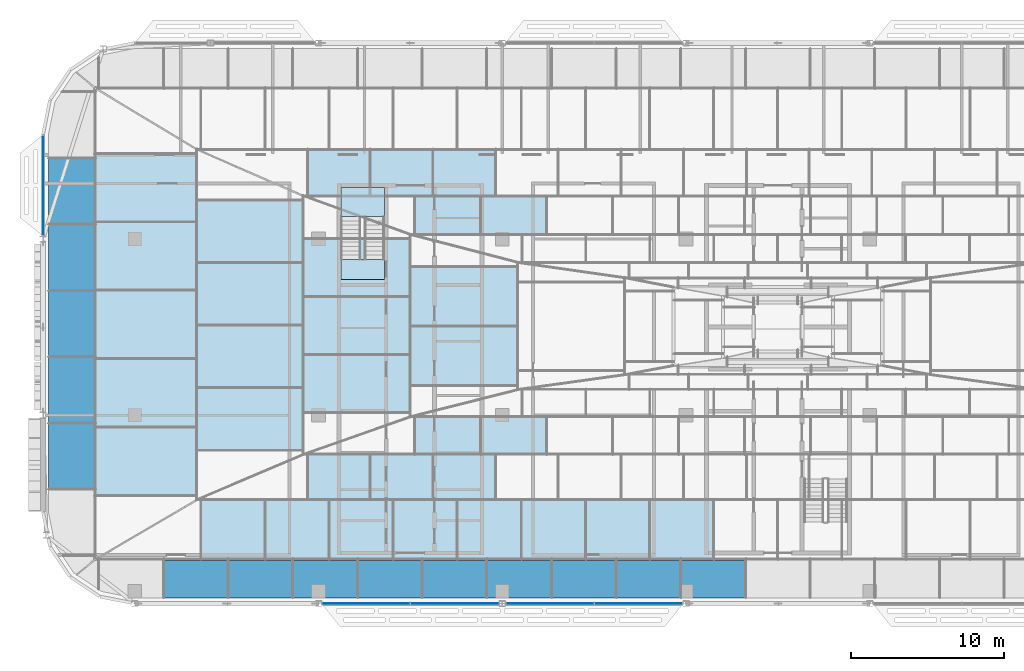
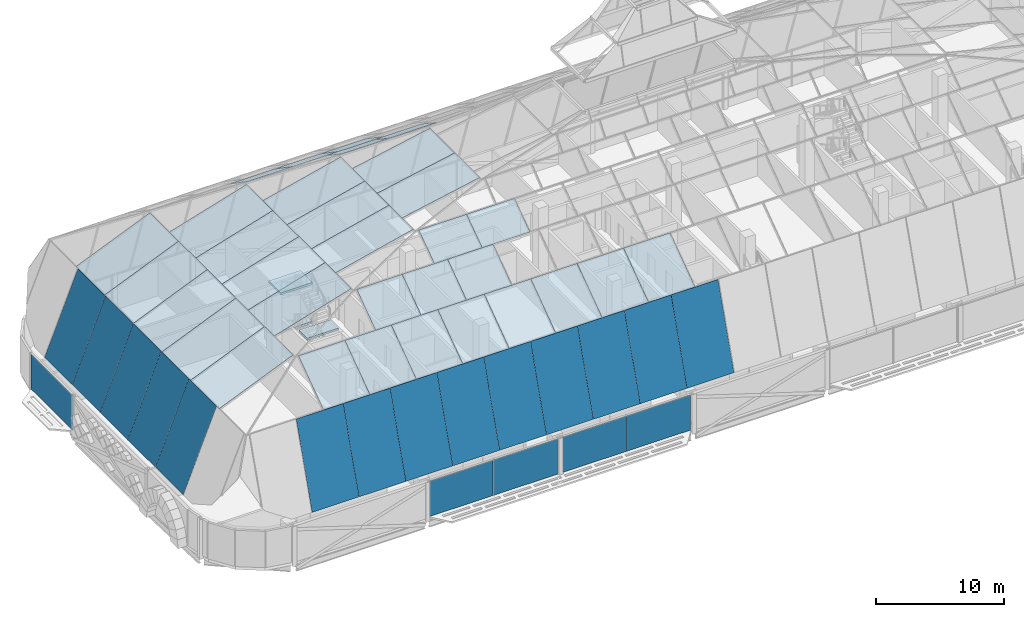
# One storey, part 19 of 39: 51 plates, 3 slabs, 15 elements without a shape of their own.
"""IFC4 building model written with IfcOpenShell, lengths in metres."""

from ifc_helpers import new_model, si_unit, direction, frame, origin, origin_2d, place, context, subcontext, project, spatial, polyline, rectangle, outline, extrude, material, layer, layer_set, type_object, element, aggregate, save


model = new_model("IFC4")

# Units and contexts
model_context = context("Model", 3, precision=1e-05, world=origin(), true_north=direction((0.0, 1.0)))
body_context = subcontext(model_context, "Body", "Model", "MODEL_VIEW")
ifc_project = project(units=[si_unit("LENGTHUNIT", "METRE"), si_unit("AREAUNIT", "SQUARE_METRE"), si_unit("VOLUMEUNIT", "CUBIC_METRE"), si_unit("PLANEANGLEUNIT", "RADIAN"), si_unit("MASSUNIT", "GRAM", prefix="KILO")], contexts=[model_context])

# Site, building, storey
site_placement = place(None, origin())
site = spatial("IfcSite", under=ifc_project, at=site_placement, CompositionType="ELEMENT")
building_placement = place(site_placement, origin())
building = spatial("IfcBuilding", under=site, at=building_placement, Name="Mahtab Terrace Research Tower", CompositionType="ELEMENT")
storey_placement = place(building_placement, frame((0.0, 0.0, 282.300048828125)))
storey = spatial("IfcBuildingStorey", under=building, at=storey_placement, Name="L69", CompositionType="ELEMENT", Elevation=282.300048828125)

# Curtain wall, plates
ifc_material_1 = material(Name="Crown faceted glass roof")
curtain_wall_type_1 = type_object("IfcCurtainWallType", Name="Crown faceted glass roof", PredefinedType="NOTDEFINED", material=ifc_material_1)
curtain_wall_1_placement = place(storey_placement, origin())
curtain_wall_1 = element("IfcCurtainWall", 1, at=curtain_wall_1_placement, inside=storey, type_object=curtain_wall_type_1, Name="CROWN.S0", PredefinedType="NOTDEFINED")
ifc_material_2 = material(Name="Dark glazing", Category="glass")
ifc_layer_1 = layer(ifc_material_2, 0.030029296875)
ifc_layer_set_1 = layer_set([ifc_layer_1], Name="Crown faceted glass roof glazing panel")
plate_type_1 = type_object("IfcPlateType", Name="Crown faceted glass roof glazing panel", PredefinedType="CURTAIN_PANEL", material=ifc_layer_set_1)
plate_1_placement = place(storey_placement, frame((-35.90087890625, -11.95703125, 3.800048828125), z_axis=(0.0, -0.948206714392, 0.317653941865), x_axis=(0.0, 0.317653941865, 0.948206714392)))
plate_1 = element("IfcPlate", 2, at=plate_1_placement, type_object=plate_type_1, Name="CWC-S1 panel 3", PredefinedType="CURTAIN_PANEL", context=body_context, shape_type="SweptSolid", body=[
    extrude(outline(polyline([(0.0, 0.0), (7.804102450906159, 0.0), (7.804102450906159, 4.2236328125), (0.0, 4.2236328125), (0.0, 0.0)])), origin(), (0.0, 0.0, -1.0), 0.030029296875),
])
plate_2_placement = place(storey_placement, frame((-31.67724609375, -11.95703125, 3.800048828125), z_axis=(0.0, -0.948206714392, 0.317653941865), x_axis=(0.0, 0.317653941865, 0.948206714392)))
plate_2 = element("IfcPlate", 3, at=plate_2_placement, type_object=plate_type_1, Name="CWC-S1 panel 4", PredefinedType="CURTAIN_PANEL", context=body_context, shape_type="SweptSolid", body=[
    extrude(outline(polyline([(0.0, 0.0), (7.804102450906159, 0.0), (7.804102450906159, 4.2236328125), (0.0, 4.2236328125), (0.0, 0.0)])), origin(), (0.0, 0.0, -1.0), 0.030029296875),
])
plate_3_placement = place(storey_placement, frame((-27.45361328125, -11.95703125, 3.800048828125), z_axis=(0.0, -0.948206714392, 0.317653941865), x_axis=(0.0, 0.317653941865, 0.948206714392)))
plate_3 = element("IfcPlate", 4, at=plate_3_placement, type_object=plate_type_1, Name="CWC-S1 panel 5", PredefinedType="CURTAIN_PANEL", context=body_context, shape_type="SweptSolid", body=[
    extrude(outline(polyline([(0.0, 0.0), (7.804102450906159, 0.0), (7.804102450906159, 4.2236328125), (0.0, 4.2236328125), (0.0, 0.0)])), origin(), (0.0, 0.0, -1.0), 0.030029296875),
])
plate_4_placement = place(storey_placement, frame((-23.22998046875, -11.95703125, 3.800048828125), z_axis=(0.0, -0.948206714392, 0.317653941865), x_axis=(0.0, 0.317653941865, 0.948206714392)))
plate_4 = element("IfcPlate", 5, at=plate_4_placement, type_object=plate_type_1, Name="CWC-S1 panel 6", PredefinedType="CURTAIN_PANEL", context=body_context, shape_type="SweptSolid", body=[
    extrude(outline(polyline([(0.0, 0.0), (7.804102450906159, 0.0), (7.804102450906159, 4.2236328125), (0.0, 4.2236328125), (0.0, 0.0)])), origin(), (0.0, 0.0, -1.0), 0.030029296875),
])
plate_5_placement = place(storey_placement, frame((-19.00634765625, -11.95703125, 3.800048828125), z_axis=(0.0, -0.948206714392, 0.317653941865), x_axis=(0.0, 0.317653941865, 0.948206714392)))
plate_5 = element("IfcPlate", 6, at=plate_5_placement, type_object=plate_type_1, Name="CWC-S1 panel 7", PredefinedType="CURTAIN_PANEL", context=body_context, shape_type="SweptSolid", body=[
    extrude(outline(polyline([(0.0, 0.0), (7.804102450906159, 0.0), (7.804102450906159, 4.2236328125), (0.0, 4.2236328125), (0.0, 0.0)])), origin(), (0.0, 0.0, -1.0), 0.030029296875),
])
plate_6_placement = place(storey_placement, frame((-14.78271484375, -11.95703125, 3.800048828125), z_axis=(0.0, -0.948206714392, 0.317653941865), x_axis=(0.0, 0.317653941865, 0.948206714392)))
plate_6 = element("IfcPlate", 7, at=plate_6_placement, type_object=plate_type_1, Name="CWC-S1 panel 8", PredefinedType="CURTAIN_PANEL", context=body_context, shape_type="SweptSolid", body=[
    extrude(outline(polyline([(0.0, 0.0), (7.804102450906159, 0.0), (7.804102450906159, 4.2236328125), (0.0, 4.2236328125), (0.0, 0.0)])), origin(), (0.0, 0.0, -1.0), 0.030029296875),
])
plate_7_placement = place(storey_placement, frame((-10.55908203125, -11.95703125, 3.800048828125), z_axis=(0.0, -0.948206714392, 0.317653941865), x_axis=(0.0, 0.317653941865, 0.948206714392)))
plate_7 = element("IfcPlate", 8, at=plate_7_placement, type_object=plate_type_1, Name="CWC-S1 panel 9", PredefinedType="CURTAIN_PANEL", context=body_context, shape_type="SweptSolid", body=[
    extrude(outline(polyline([(0.0, 0.0), (7.804102450906159, 0.0), (7.804102450906159, 4.2236328125), (0.0, 4.2236328125), (0.0, 0.0)])), origin(), (0.0, 0.0, -1.0), 0.030029296875),
])
plate_8_placement = place(storey_placement, frame((-6.33544921875, -11.95703125, 3.800048828125), z_axis=(0.0, -0.948206714392, 0.317653941865), x_axis=(0.0, 0.317653941865, 0.948206714392)))
plate_8 = element("IfcPlate", 9, at=plate_8_placement, type_object=plate_type_1, Name="CWC-S1 panel 10", PredefinedType="CURTAIN_PANEL", context=body_context, shape_type="SweptSolid", body=[
    extrude(outline(polyline([(0.0, 0.0), (7.804102450906159, 0.0), (7.804102450906159, 4.2236328125), (0.0, 4.2236328125), (0.0, 0.0)])), origin(), (0.0, 0.0, -1.0), 0.030029296875),
])
plate_9_placement = place(storey_placement, frame((-2.11181640625, -11.95703125, 3.800048828125), z_axis=(0.0, -0.948206714392, 0.317653941865), x_axis=(0.0, 0.317653941865, 0.948206714392)))
plate_9 = element("IfcPlate", 10, at=plate_9_placement, type_object=plate_type_1, Name="CWC-S1 panel 11", PredefinedType="CURTAIN_PANEL", context=body_context, shape_type="SweptSolid", body=[
    extrude(outline(polyline([(0.0, 0.0), (7.804102450906159, 0.0), (7.804102450906159, 4.2236328125), (0.0, 4.2236328125), (0.0, 0.0)])), origin(), (0.0, 0.0, -1.0), 0.030029296875),
])
aggregate(curtain_wall_1, [plate_1, plate_2, plate_3, plate_4, plate_5, plate_6, plate_7, plate_8, plate_9])

curtain_wall_2_placement = place(storey_placement, origin())
curtain_wall_2 = element("IfcCurtainWall", 11, at=curtain_wall_2_placement, inside=storey, type_object=curtain_wall_type_1, Name="CROWN.S1", PredefinedType="NOTDEFINED")
plate_10_placement = place(storey_placement, frame((-33.49072265625, -9.47802734375, 11.199951171875), z_axis=(0.0, -0.581900322077, 0.813260115318), x_axis=(0.0, 0.813260115318, 0.581900322077)))
plate_10 = element("IfcPlate", 12, at=plate_10_placement, type_object=plate_type_1, Name="CWC-S2 panel 2", PredefinedType="CURTAIN_PANEL", context=body_context, shape_type="SweptSolid", body=[
    extrude(outline(polyline([(0.0, 0.0), (4.811904585529726, 0.0), (4.811904585529726, 4.186279296875), (0.0, 4.186279296875), (0.0, 0.0)])), origin(), (0.0, 0.0, -1.0), 0.030029296875),
])
plate_11_placement = place(storey_placement, frame((-29.304443359375, -9.47802734375, 11.199951171875), z_axis=(0.0, -0.581900322077, 0.813260115318), x_axis=(0.0, 0.813260115318, 0.581900322077)))
plate_11 = element("IfcPlate", 13, at=plate_11_placement, type_object=plate_type_1, Name="CWC-S2 panel 3", PredefinedType="CURTAIN_PANEL", context=body_context, shape_type="SweptSolid", body=[
    extrude(outline(polyline([(0.0, 0.0), (4.811904585529726, 0.0), (4.811904585529726, 4.186279296875), (0.0, 4.186279296875), (0.0, 0.0)])), origin(), (0.0, 0.0, -1.0), 0.030029296875),
])
plate_12_placement = place(storey_placement, frame((-25.117919921875, -9.47802734375, 11.199951171875), z_axis=(0.0, -0.581900322077, 0.813260115318), x_axis=(0.0, 0.813260115318, 0.581900322077)))
plate_12 = element("IfcPlate", 14, at=plate_12_placement, type_object=plate_type_1, Name="CWC-S2 panel 4", PredefinedType="CURTAIN_PANEL", context=body_context, shape_type="SweptSolid", body=[
    extrude(outline(polyline([(0.0, 0.0), (4.811904585529726, 0.0), (4.811904585529726, 4.1865234375), (0.0, 4.1865234375), (0.0, 0.0)])), origin(), (0.0, 0.0, -1.0), 0.030029296875),
])
plate_13_placement = place(storey_placement, frame((-20.931640625, -9.47802734375, 11.199951171875), z_axis=(0.0, -0.581900322077, 0.813260115318), x_axis=(0.0, 0.813260115318, 0.581900322077)))
plate_13 = element("IfcPlate", 15, at=plate_13_placement, type_object=plate_type_1, Name="CWC-S2 panel 5", PredefinedType="CURTAIN_PANEL", context=body_context, shape_type="SweptSolid", body=[
    extrude(outline(polyline([(0.0, 0.0), (4.811904585529726, 0.0), (4.811904585529726, 4.186279296875), (0.0, 4.186279296875), (0.0, 0.0)])), origin(), (0.0, 0.0, -1.0), 0.030029296875),
])
plate_14_placement = place(storey_placement, frame((-16.745361328125, -9.47802734375, 11.199951171875), z_axis=(0.0, -0.581900322077, 0.813260115318), x_axis=(0.0, 0.813260115318, 0.581900322077)))
plate_14 = element("IfcPlate", 16, at=plate_14_placement, type_object=plate_type_1, Name="CWC-S2 panel 6", PredefinedType="CURTAIN_PANEL", context=body_context, shape_type="SweptSolid", body=[
    extrude(outline(polyline([(0.0, 0.0), (4.811904585529726, 0.0), (4.811904585529726, 4.186279296875), (0.0, 4.186279296875), (0.0, 0.0)])), origin(), (0.0, 0.0, -1.0), 0.030029296875),
])
plate_15_placement = place(storey_placement, frame((-12.55908203125, -9.47802734375, 11.199951171875), z_axis=(0.0, -0.581900322077, 0.813260115318), x_axis=(0.0, 0.813260115318, 0.581900322077)))
plate_15 = element("IfcPlate", 17, at=plate_15_placement, type_object=plate_type_1, Name="CWC-S2 panel 7", PredefinedType="CURTAIN_PANEL", context=body_context, shape_type="SweptSolid", body=[
    extrude(outline(polyline([(0.0, 0.0), (4.811904585529726, 0.0), (4.811904585529726, 4.186279296875), (0.0, 4.186279296875), (0.0, 0.0)])), origin(), (0.0, 0.0, -1.0), 0.030029296875),
])
plate_16_placement = place(storey_placement, frame((-8.372802734375, -9.47802734375, 11.199951171875), z_axis=(0.0, -0.581900322077, 0.813260115318), x_axis=(0.0, 0.813260115318, 0.581900322077)))
plate_16 = element("IfcPlate", 18, at=plate_16_placement, type_object=plate_type_1, Name="CWC-S2 panel 8", PredefinedType="CURTAIN_PANEL", context=body_context, shape_type="SweptSolid", body=[
    extrude(outline(polyline([(0.0, 0.0), (4.811904585529726, 0.0), (4.811904585529726, 4.186279296875), (0.0, 4.186279296875), (0.0, 0.0)])), origin(), (0.0, 0.0, -1.0), 0.030029296875),
])
plate_17_placement = place(storey_placement, frame((-4.186279296875, -9.47802734375, 11.199951171875), z_axis=(0.0, -0.581900322077, 0.813260115318), x_axis=(0.0, 0.813260115318, 0.581900322077)))
plate_17 = element("IfcPlate", 19, at=plate_17_placement, type_object=plate_type_1, Name="CWC-S2 panel 9", PredefinedType="CURTAIN_PANEL", context=body_context, shape_type="SweptSolid", body=[
    extrude(outline(polyline([(0.0, 0.0), (4.811904585529726, 0.0), (4.811904585529726, 4.1865234375), (0.0, 4.1865234375), (0.0, 0.0)])), origin(), (0.0, 0.0, -1.0), 0.030029296875),
])
aggregate(curtain_wall_2, [plate_10, plate_11, plate_12, plate_13, plate_14, plate_15, plate_16, plate_17])

curtain_wall_3_placement = place(storey_placement, origin())
curtain_wall_3 = element("IfcCurtainWall", 20, at=curtain_wall_3_placement, inside=storey, type_object=curtain_wall_type_1, Name="CROWN.S2", PredefinedType="NOTDEFINED")
plate_18_placement = place(storey_placement, frame((-26.6240234375, -5.564697265625, 14.0), z_axis=(0.0, -0.578988154945, 0.81533595311), x_axis=(0.0, 0.81533595311, 0.578988154945)))
plate_18 = element("IfcPlate", 21, at=plate_18_placement, type_object=plate_type_1, Name="CWC-S3 panel 2", PredefinedType="CURTAIN_PANEL", context=body_context, shape_type="SweptSolid", body=[
    extrude(outline(polyline([(0.0, 0.0), (3.6267642052605558, 0.0), (3.6267642052605558, 4.09619140625), (0.0, 4.09619140625), (0.0, 0.0)])), origin(), (0.0, 0.0, -1.0), 0.030029296875),
])
plate_19_placement = place(storey_placement, frame((-22.528076171875, -5.564697265625, 14.0), z_axis=(0.0, -0.578988154945, 0.81533595311), x_axis=(0.0, 0.81533595311, 0.578988154945)))
plate_19 = element("IfcPlate", 22, at=plate_19_placement, type_object=plate_type_1, Name="CWC-S3 panel 3", PredefinedType="CURTAIN_PANEL", context=body_context, shape_type="SweptSolid", body=[
    extrude(outline(polyline([(0.0, 0.0), (3.626764205260556, 0.0), (3.626764205260556, 4.095947265625), (0.0, 4.095947265625), (0.0, 0.0)])), origin(), (0.0, 0.0, -1.0), 0.030029296875),
])
plate_20_placement = place(storey_placement, frame((-18.43212890625, -5.564697265625, 14.0), z_axis=(0.0, -0.578988154945, 0.81533595311), x_axis=(0.0, 0.81533595311, 0.578988154945)))
plate_20 = element("IfcPlate", 23, at=plate_20_placement, type_object=plate_type_1, Name="CWC-S3 panel 4", PredefinedType="CURTAIN_PANEL", context=body_context, shape_type="SweptSolid", body=[
    extrude(outline(polyline([(0.0, 0.0), (3.626764205260556, 0.0), (3.626764205260556, 4.095947265625), (0.0, 4.095947265625), (0.0, 0.0)])), origin(), (0.0, 0.0, -1.0), 0.030029296875),
])
aggregate(curtain_wall_3, [plate_18, plate_19, plate_20])

curtain_wall_4_placement = place(storey_placement, origin())
curtain_wall_4 = element("IfcCurtainWall", 24, at=curtain_wall_4_placement, inside=storey, type_object=curtain_wall_type_1, Name="CROWN.S3", PredefinedType="NOTDEFINED")
plate_21_placement = place(storey_placement, frame((-19.40380859375, -2.607666015625, 16.099853515625), z_axis=(0.0, -0.568373610544, 0.822770587003), x_axis=(0.0, 0.822770587003, 0.568373610544)))
plate_21 = element("IfcPlate", 25, at=plate_21_placement, type_object=plate_type_1, Name="CWC-S4 panel 2", PredefinedType="CURTAIN_PANEL", context=body_context, shape_type="SweptSolid", body=[
    extrude(outline(polyline([(0.0, 0.0), (2.991334011573522, 0.0), (2.991334011573522, 4.311767578125), (0.0, 4.311767578125), (0.0, 0.0)])), origin(), (0.0, 0.0, -1.0), 0.030029296875),
])
plate_22_placement = place(storey_placement, frame((-15.091796875, -2.607666015625, 16.099853515625), z_axis=(0.0, -0.568373610544, 0.822770587003), x_axis=(0.0, 0.822770587003, 0.568373610544)))
plate_22 = element("IfcPlate", 26, at=plate_22_placement, type_object=plate_type_1, Name="CWC-S4 panel 3", PredefinedType="CURTAIN_PANEL", context=body_context, shape_type="SweptSolid", body=[
    extrude(outline(polyline([(0.0, 0.0), (2.991334011573522, 0.0), (2.991334011573522, 4.312011718750001), (0.0, 4.312011718750001), (0.0, 0.0)])), origin(), (0.0, 0.0, -1.0), 0.030029296875),
])
aggregate(curtain_wall_4, [plate_21, plate_22])

curtain_wall_5_placement = place(storey_placement, origin())
curtain_wall_5 = element("IfcCurtainWall", 27, at=curtain_wall_5_placement, inside=storey, type_object=curtain_wall_type_1, Name="CROWN.N2", PredefinedType="NOTDEFINED")
plate_23_placement = place(storey_placement, frame((-26.6240234375, 14.34375, 16.099853515625), z_axis=(0.0, 0.568271672789, 0.822840996734), x_axis=(0.0, 0.822840996734, -0.568271672789)))
plate_23 = element("IfcPlate", 28, at=plate_23_placement, type_object=plate_type_1, Name="CWC-N3 panel 2", PredefinedType="CURTAIN_PANEL", context=body_context, shape_type="SweptSolid", body=[
    extrude(outline(polyline([(0.0, 0.0), (3.695157820063184, 0.0), (3.695157820063184, 4.096191406250001), (0.0, 4.096191406250001), (0.0, 0.0)])), origin(), (0.0, 0.0, -1.0), 0.030029296875),
])
plate_24_placement = place(storey_placement, frame((-22.528076171875, 14.34375, 16.099853515625), z_axis=(0.0, 0.568271672789, 0.822840996734), x_axis=(0.0, 0.822840996734, -0.568271672789)))
plate_24 = element("IfcPlate", 29, at=plate_24_placement, type_object=plate_type_1, Name="CWC-N3 panel 3", PredefinedType="CURTAIN_PANEL", context=body_context, shape_type="SweptSolid", body=[
    extrude(outline(polyline([(0.0, 0.0), (3.695157820063184, 0.0), (3.695157820063184, 4.095947265625), (0.0, 4.095947265625), (0.0, 0.0)])), origin(), (0.0, 0.0, -1.0), 0.030029296875),
])
plate_25_placement = place(storey_placement, frame((-18.43212890625, 14.34375, 16.099853515625), z_axis=(0.0, 0.568271672789, 0.822840996734), x_axis=(0.0, 0.822840996734, -0.568271672789)))
plate_25 = element("IfcPlate", 30, at=plate_25_placement, type_object=plate_type_1, Name="CWC-N3 panel 4", PredefinedType="CURTAIN_PANEL", context=body_context, shape_type="SweptSolid", body=[
    extrude(outline(polyline([(0.0, 0.0), (3.695157820063184, 0.0), (3.695157820063184, 4.095947265625), (0.0, 4.095947265625), (0.0, 0.0)])), origin(), (0.0, 0.0, -1.0), 0.030029296875),
])
aggregate(curtain_wall_5, [plate_23, plate_24, plate_25])

curtain_wall_6_placement = place(storey_placement, origin())
curtain_wall_6 = element("IfcCurtainWall", 31, at=curtain_wall_6_placement, inside=storey, type_object=curtain_wall_type_1, Name="CROWN.N3", PredefinedType="NOTDEFINED")
plate_26_placement = place(storey_placement, frame((-19.40380859375, 11.81298828125, 17.800048828125), z_axis=(0.0, 0.557653368121, 0.830073925035), x_axis=(0.0, 0.830073925035, -0.557653368121)))
plate_26 = element("IfcPlate", 32, at=plate_26_placement, type_object=plate_type_1, Name="CWC-N4 panel 2", PredefinedType="CURTAIN_PANEL", context=body_context, shape_type="SweptSolid", body=[
    extrude(outline(polyline([(0.0, 0.0), (3.048838955690744, 0.0), (3.048838955690744, 4.311767578125001), (0.0, 4.311767578125001), (0.0, 0.0)])), origin(), (0.0, 0.0, -1.0), 0.030029296875),
])
plate_27_placement = place(storey_placement, frame((-15.091796875, 11.81298828125, 17.800048828125), z_axis=(0.0, 0.557653368121, 0.830073925035), x_axis=(0.0, 0.830073925035, -0.557653368121)))
plate_27 = element("IfcPlate", 33, at=plate_27_placement, type_object=plate_type_1, Name="CWC-N4 panel 3", PredefinedType="CURTAIN_PANEL", context=body_context, shape_type="SweptSolid", body=[
    extrude(outline(polyline([(0.0, 0.0), (3.048838955690744, 0.0), (3.048838955690744, 4.31201171875), (0.0, 4.31201171875), (0.0, 0.0)])), origin(), (0.0, 0.0, -1.0), 0.030029296875),
])
aggregate(curtain_wall_6, [plate_26, plate_27])

curtain_wall_7_placement = place(storey_placement, origin())
curtain_wall_7 = element("IfcCurtainWall", 34, at=curtain_wall_7_placement, inside=storey, type_object=curtain_wall_type_1, Name="CROWN.W0", PredefinedType="NOTDEFINED")
plate_28_placement = place(storey_placement, frame((-44.64794921875, -4.851318359375, 11.199951171875), z_axis=(-0.926652359247, 0.0, 0.375919413042), x_axis=(0.0, 1.0, 0.0)))
plate_28 = element("IfcPlate", 35, at=plate_28_placement, type_object=plate_type_1, Name="CWC-W1 panel 3", PredefinedType="CURTAIN_PANEL", context=body_context, shape_type="SweptSolid", body=[
    extrude(outline(polyline([(0.0, 0.0), (4.326416015625, 0.0), (4.326416015625, 7.985629421763448), (0.0, 7.985629421763448), (0.0, 0.0)])), origin(), (0.0, 0.0, -1.0), 0.030029296875),
])
plate_29_placement = place(storey_placement, frame((-44.64794921875, -0.52490234375, 11.199951171875), z_axis=(-0.926652359247, 0.0, 0.375919413042), x_axis=(0.0, 1.0, 0.0)))
plate_29 = element("IfcPlate", 36, at=plate_29_placement, type_object=plate_type_1, Name="CWC-W1 panel 4", PredefinedType="CURTAIN_PANEL", context=body_context, shape_type="SweptSolid", body=[
    extrude(outline(polyline([(0.0, 0.0), (4.32666015625, 0.0), (4.32666015625, 7.985629421763448), (0.0, 7.985629421763448), (0.0, 0.0)])), origin(), (0.0, 0.0, -1.0), 0.030029296875),
])
plate_30_placement = place(storey_placement, frame((-44.64794921875, 3.8017578125, 11.199951171875), z_axis=(-0.926652359247, 0.0, 0.375919413042), x_axis=(0.0, 1.0, 0.0)))
plate_30 = element("IfcPlate", 37, at=plate_30_placement, type_object=plate_type_1, Name="CWC-W1 panel 5", PredefinedType="CURTAIN_PANEL", context=body_context, shape_type="SweptSolid", body=[
    extrude(outline(polyline([(0.0, 0.0), (4.32666015625, 0.0), (4.32666015625, 7.985629421763448), (0.0, 7.985629421763448), (0.0, 0.0)])), origin(), (0.0, 0.0, -1.0), 0.030029296875),
])
plate_31_placement = place(storey_placement, frame((-44.64794921875, 8.12841796875, 11.199951171875), z_axis=(-0.926652359247, 0.0, 0.375919413042), x_axis=(0.0, 1.0, 0.0)))
plate_31 = element("IfcPlate", 38, at=plate_31_placement, type_object=plate_type_1, Name="CWC-W1 panel 6", PredefinedType="CURTAIN_PANEL", context=body_context, shape_type="SweptSolid", body=[
    extrude(outline(polyline([(0.0, 0.0), (4.326416015625, 0.0), (4.326416015625, 7.985629421763448), (0.0, 7.985629421763448), (0.0, 0.0)])), origin(), (0.0, 0.0, -1.0), 0.030029296875),
])
plate_32_placement = place(storey_placement, frame((-44.64794921875, 12.454833984375, 11.199951171875), z_axis=(-0.926652359247, 0.0, 0.375919413042), x_axis=(0.0, 1.0, 0.0)))
plate_32 = element("IfcPlate", 39, at=plate_32_placement, type_object=plate_type_1, Name="CWC-W1 panel 7", PredefinedType="CURTAIN_PANEL", context=body_context, shape_type="SweptSolid", body=[
    extrude(outline(polyline([(0.0, 0.0), (4.32666015625, 0.0), (4.32666015625, 7.985629421763448), (0.0, 7.985629421763448), (0.0, 0.0)])), origin(), (0.0, 0.0, -1.0), 0.030029296875),
])
aggregate(curtain_wall_7, [plate_28, plate_29, plate_30, plate_31, plate_32])

curtain_wall_8_placement = place(storey_placement, origin())
curtain_wall_8 = element("IfcCurtainWall", 40, at=curtain_wall_8_placement, inside=storey, type_object=curtain_wall_type_1, Name="CROWN.W1", PredefinedType="NOTDEFINED")
plate_33_placement = place(storey_placement, frame((-37.97705078125, -5.264892578125, 14.0), z_axis=(-0.387029381179, 0.0, 0.922067382627), x_axis=(0.0, 1.0, 0.0)))
plate_33 = element("IfcPlate", 41, at=plate_33_placement, type_object=plate_type_1, Name="CWC-W2 panel 2", PredefinedType="CURTAIN_PANEL", context=body_context, shape_type="SweptSolid", body=[
    extrude(outline(polyline([(0.0, 0.0), (4.469970703125, 0.0), (4.469970703125, 7.2347190272549025), (0.0, 7.2347190272549025), (0.0, 0.0)])), origin(), (0.0, 0.0, -1.0), 0.030029296875),
])
plate_34_placement = place(storey_placement, frame((-37.97705078125, -0.794921875, 14.0), z_axis=(-0.387029381179, 0.0, 0.922067382627), x_axis=(0.0, 1.0, 0.0)))
plate_34 = element("IfcPlate", 42, at=plate_34_placement, type_object=plate_type_1, Name="CWC-W2 panel 3", PredefinedType="CURTAIN_PANEL", context=body_context, shape_type="SweptSolid", body=[
    extrude(outline(polyline([(0.0, 0.0), (4.4697265625, 0.0), (4.4697265625, 7.234719027254903), (0.0, 7.234719027254903), (0.0, 0.0)])), origin(), (0.0, 0.0, -1.0), 0.030029296875),
])
plate_35_placement = place(storey_placement, frame((-37.97705078125, 3.6748046875, 14.0), z_axis=(-0.387029381179, 0.0, 0.922067382627), x_axis=(0.0, 1.0, 0.0)))
plate_35 = element("IfcPlate", 43, at=plate_35_placement, type_object=plate_type_1, Name="CWC-W2 panel 4", PredefinedType="CURTAIN_PANEL", context=body_context, shape_type="SweptSolid", body=[
    extrude(outline(polyline([(0.0, 0.0), (4.469970703125, 0.0), (4.469970703125, 7.2347190272549025), (0.0, 7.2347190272549025), (0.0, 0.0)])), origin(), (0.0, 0.0, -1.0), 0.030029296875),
])
plate_36_placement = place(storey_placement, frame((-37.97705078125, 8.144775390625, 14.0), z_axis=(-0.387029381179, 0.0, 0.922067382627), x_axis=(0.0, 1.0, 0.0)))
plate_36 = element("IfcPlate", 44, at=plate_36_placement, type_object=plate_type_1, Name="CWC-W2 panel 5", PredefinedType="CURTAIN_PANEL", context=body_context, shape_type="SweptSolid", body=[
    extrude(outline(polyline([(0.0, 0.0), (4.4697265625, 0.0), (4.4697265625, 7.234719027254903), (0.0, 7.234719027254903), (0.0, 0.0)])), origin(), (0.0, 0.0, -1.0), 0.030029296875),
])
plate_37_placement = place(storey_placement, frame((-37.97705078125, 12.614501953125, 14.0), z_axis=(-0.387029381179, 0.0, 0.922067382627), x_axis=(0.0, 1.0, 0.0)))
plate_37 = element("IfcPlate", 45, at=plate_37_placement, type_object=plate_type_1, Name="CWC-W2 panel 6", PredefinedType="CURTAIN_PANEL", context=body_context, shape_type="SweptSolid", body=[
    extrude(outline(polyline([(0.0, 0.0), (4.4697265625, 0.0), (4.4697265625, 7.234719027254903), (0.0, 7.234719027254903), (0.0, 0.0)])), origin(), (0.0, 0.0, -1.0), 0.030029296875),
])
aggregate(curtain_wall_8, [plate_33, plate_34, plate_35, plate_36, plate_37])

curtain_wall_9_placement = place(storey_placement, origin())
curtain_wall_9 = element("IfcCurtainWall", 46, at=curtain_wall_9_placement, inside=storey, type_object=curtain_wall_type_1, Name="CROWN.W2", PredefinedType="NOTDEFINED")
plate_38_placement = place(storey_placement, frame((-31.020263671875, -2.3076171875, 16.099853515625), z_axis=(-0.288965667694, 0.0, 0.957339460638), x_axis=(0.0, 1.0, 0.0)))
plate_38 = element("IfcPlate", 47, at=plate_38_placement, type_object=plate_type_1, Name="CWC-W3 panel 2", PredefinedType="CURTAIN_PANEL", context=body_context, shape_type="SweptSolid", body=[
    extrude(outline(polyline([(0.0, 0.0), (4.087646484375, 0.0), (4.087646484375, 7.266792392262823), (0.0, 7.266792392262823), (0.0, 0.0)])), origin(), (0.0, 0.0, -1.0), 0.030029296875),
])
plate_39_placement = place(storey_placement, frame((-31.020263671875, 1.780029296875, 16.099853515625), z_axis=(-0.288965667694, 0.0, 0.957339460638), x_axis=(0.0, 1.0, 0.0)))
plate_39 = element("IfcPlate", 48, at=plate_39_placement, type_object=plate_type_1, Name="CWC-W3 panel 3", PredefinedType="CURTAIN_PANEL", context=body_context, shape_type="SweptSolid", body=[
    extrude(outline(polyline([(0.0, 0.0), (4.087890625, 0.0), (4.087890625, 7.266792392262823), (0.0, 7.266792392262823), (0.0, 0.0)])), origin(), (0.0, 0.0, -1.0), 0.030029296875),
])
plate_40_placement = place(storey_placement, frame((-31.020263671875, 5.867919921875, 16.099853515625), z_axis=(-0.288965667694, 0.0, 0.957339460638), x_axis=(0.0, 1.0, 0.0)))
plate_40 = element("IfcPlate", 49, at=plate_40_placement, type_object=plate_type_1, Name="CWC-W3 panel 4", PredefinedType="CURTAIN_PANEL", context=body_context, shape_type="SweptSolid", body=[
    extrude(outline(polyline([(0.0, 0.0), (4.087890625, 0.0), (4.087890625, 7.266792392262823), (0.0, 7.266792392262823), (0.0, 0.0)])), origin(), (0.0, 0.0, -1.0), 0.030029296875),
])
plate_41_placement = place(storey_placement, frame((-31.020263671875, 9.955810546875, 16.099853515625), z_axis=(-0.288965667694, 0.0, 0.957339460638), x_axis=(0.0, 1.0, 0.0)))
plate_41 = element("IfcPlate", 50, at=plate_41_placement, type_object=plate_type_1, Name="CWC-W3 panel 5", PredefinedType="CURTAIN_PANEL", context=body_context, shape_type="SweptSolid", body=[
    extrude(outline(polyline([(0.0, 0.0), (4.087890625, 0.0), (4.087890625, 7.266792392262823), (0.0, 7.266792392262823), (0.0, 0.0)])), origin(), (0.0, 0.0, -1.0), 0.030029296875),
])
aggregate(curtain_wall_9, [plate_38, plate_39, plate_40, plate_41])

curtain_wall_10_placement = place(storey_placement, origin())
curtain_wall_10 = element("IfcCurtainWall", 51, at=curtain_wall_10_placement, inside=storey, type_object=curtain_wall_type_1, Name="CROWN.W3", PredefinedType="NOTDEFINED")
plate_42_placement = place(storey_placement, frame((-24.015625, 0.153564453125, 17.800048828125), z_axis=(-0.235875329175, 0.0, 0.971783324145), x_axis=(0.0, 1.0, 0.0)))
plate_42 = element("IfcPlate", 52, at=plate_42_placement, type_object=plate_type_1, Name="CWC-W4 panel 2", PredefinedType="CURTAIN_PANEL", context=body_context, shape_type="SweptSolid", body=[
    extrude(outline(polyline([(0.0, 0.0), (3.786376953125, 0.0), (3.786376953125, 7.208025181988041), (0.0, 7.208025181988041), (0.0, 0.0)])), origin(), (0.0, 0.0, -1.0), 0.030029296875),
])
plate_43_placement = place(storey_placement, frame((-24.015625, 3.93994140625, 17.800048828125), z_axis=(-0.235875329175, 0.0, 0.971783324145), x_axis=(0.0, 1.0, 0.0)))
plate_43 = element("IfcPlate", 53, at=plate_43_placement, type_object=plate_type_1, Name="CWC-W4 panel 3", PredefinedType="CURTAIN_PANEL", context=body_context, shape_type="SweptSolid", body=[
    extrude(outline(polyline([(0.0, 0.0), (3.78662109375, 0.0), (3.78662109375, 7.208025181988041), (0.0, 7.208025181988041), (0.0, 0.0)])), origin(), (0.0, 0.0, -1.0), 0.030029296875),
])
plate_44_placement = place(storey_placement, frame((-24.015625, 7.7265625, 17.800048828125), z_axis=(-0.235875329175, 0.0, 0.971783324145), x_axis=(0.0, 1.0, 0.0)))
plate_44 = element("IfcPlate", 54, at=plate_44_placement, type_object=plate_type_1, Name="CWC-W4 panel 4", PredefinedType="CURTAIN_PANEL", context=body_context, shape_type="SweptSolid", body=[
    extrude(outline(polyline([(0.0, 0.0), (3.786376953125, 0.0), (3.786376953125, 7.208025181988041), (0.0, 7.208025181988041), (0.0, 0.0)])), origin(), (0.0, 0.0, -1.0), 0.030029296875),
])
aggregate(curtain_wall_10, [plate_42, plate_43, plate_44])

curtain_wall_11_placement = place(storey_placement, origin())
curtain_wall_11 = element("IfcCurtainWall", 55, at=curtain_wall_11_placement, inside=storey, type_object=curtain_wall_type_1, Name="CROWN.W4", PredefinedType="NOTDEFINED")
plate_45_placement = place(storey_placement, frame((-17.010986328125, 1.92431640625, 19.199951171875), z_axis=(-0.195978105633, 0.0, 0.980608271489), x_axis=(0.0, 1.0, 0.0)))
plate_45 = element("IfcPlate", 56, at=plate_45_placement, type_object=plate_type_1, Name="CWC-W5 panel 2", PredefinedType="CURTAIN_PANEL", context=body_context, shape_type="SweptSolid", body=[
    extrude(outline(polyline([(0.0, 0.0), (3.884033203125, 0.0), (3.884033203125, 7.143156829831157), (0.0, 7.143156829831157), (0.0, 0.0)])), origin(), (0.0, 0.0, -1.0), 0.030029296875),
])
plate_46_placement = place(storey_placement, frame((-17.010986328125, 5.808349609375, 19.199951171875), z_axis=(-0.195978105633, 0.0, 0.980608271489), x_axis=(0.0, 1.0, 0.0)))
plate_46 = element("IfcPlate", 57, at=plate_46_placement, type_object=plate_type_1, Name="CWC-W5 panel 3", PredefinedType="CURTAIN_PANEL", context=body_context, shape_type="SweptSolid", body=[
    extrude(outline(polyline([(0.0, 0.0), (3.8837890625, 0.0), (3.8837890625, 7.143156829831158), (0.0, 7.143156829831158), (0.0, 0.0)])), origin(), (0.0, 0.0, -1.0), 0.030029296875),
])
aggregate(curtain_wall_11, [plate_45, plate_46])

# Stair, slabs
ifc_material_3 = material(Name="Exit stair half-turn")
stair_type = type_object("IfcStairType", Name="Exit stair half-turn", PredefinedType="HALF_TURN_STAIR", material=ifc_material_3)
stair_placement = place(storey_placement, origin())
stair = element("IfcStair", 58, at=stair_placement, inside=storey, type_object=stair_type, Name="L69 Protected exit stair ST1", PredefinedType="HALF_TURN_STAIR")
ifc_material_4 = material(Name="Concrete C40/50", Category="concrete")
ifc_layer_2 = layer(ifc_material_4, 0.199951171875)
ifc_layer_set_2 = layer_set([ifc_layer_2], Name="Exit stair landing 200")
slab_type = type_object("IfcSlabType", Name="Exit stair landing 200", PredefinedType="LANDING", material=ifc_layer_set_2)
slab_1_placement = place(storey_placement, frame((0.0, 0.0, 1.64990234375)))
slab_1 = element("IfcSlab", 59, at=slab_1_placement, type_object=slab_type, Name="ST1 landing 1", PredefinedType="LANDING", context=body_context, shape_type="SweptSolid", body=[
    extrude(outline(polyline([(-25.699951171875, 12.97509765625), (-25.699951171875, 14.875), (-28.550048828125, 14.875), (-28.550048828125, 12.97509765625), (-25.699951171875, 12.97509765625)])), origin(), (0.0, 0.0, 1.0), 0.199951171875),
])
slab_2_placement = place(storey_placement, frame((0.0, 0.0, 3.5)))
slab_2 = element("IfcSlab", 60, at=slab_2_placement, type_object=slab_type, Name="ST1 landing 2", PredefinedType="LANDING", context=body_context, shape_type="SweptSolid", body=[
    extrude(outline(polyline([(-25.699951171875, 8.875), (-25.699951171875, 10.175048828125), (-28.550048828125, 10.175048828125), (-28.550048828125, 8.875), (-25.699951171875, 8.875)])), origin(), (0.0, 0.0, 1.0), 0.199951171875),
])
slab_3_placement = place(storey_placement, frame((0.0, 0.0, 5.349853515625)))
slab_3 = element("IfcSlab", 61, at=slab_3_placement, type_object=slab_type, Name="ST1 landing 3", PredefinedType="LANDING", context=body_context, shape_type="SweptSolid", body=[
    extrude(outline(polyline([(-25.699951171875, 12.97509765625), (-25.699951171875, 14.875), (-28.550048828125, 14.875), (-28.550048828125, 12.97509765625), (-25.699951171875, 12.97509765625)])), origin(), (0.0, 0.0, 1.0), 0.2001953125),
])
aggregate(stair, [slab_1, slab_2, slab_3])

# Curtain wall, plate
ifc_material_5 = material(Name="Office ribbon curtain wall")
curtain_wall_type_2 = type_object("IfcCurtainWallType", Name="Office ribbon curtain wall", PredefinedType="NOTDEFINED", material=ifc_material_5)
curtain_wall_12_placement = place(storey_placement, origin())
curtain_wall_12 = element("IfcCurtainWall", 62, at=curtain_wall_12_placement, inside=storey, type_object=curtain_wall_type_2, Name="EN.L69.8.15", PredefinedType="NOTDEFINED")
ifc_layer_3 = layer(ifc_material_2, 0.030029296875)
ifc_layer_set_3 = layer_set([ifc_layer_3], Name="Office ribbon curtain wall glazing panel")
plate_type_2 = type_object("IfcPlateType", Name="Office ribbon curtain wall glazing panel", PredefinedType="CURTAIN_PANEL", material=ifc_layer_set_3)
plate_47_placement = place(storey_placement, frame((-48.0, 14.99755859375, 0.0), z_axis=(0.0, 0.0, 1.0), x_axis=(0.0, -1.0, 0.0)))
plate_47 = element("IfcPlate", 63, at=plate_47_placement, type_object=plate_type_2, Name="CWO-8 panel 1", PredefinedType="CURTAIN_PANEL", context=body_context, shape_type="SweptSolid", body=[
    extrude(rectangle(XDim=6.4990234375, YDim=0.030029296875, at=origin_2d()), origin(), (0.0, 0.0, 1.0), 3.360107421875),
])
aggregate(curtain_wall_12, [plate_47])

# Curtain wall, plates
curtain_wall_13_placement = place(storey_placement, origin())
curtain_wall_13 = element("IfcCurtainWall", 64, at=curtain_wall_13_placement, inside=storey, type_object=curtain_wall_type_2, Name="EN.L69.13.24", PredefinedType="NOTDEFINED")
plate_48_placement = place(storey_placement, frame((-26.89111328125, -12.306884765625, 0.0), z_axis=(0.0, 0.0, 1.0), x_axis=(1.0, 0.0, 0.0)))
plate_48 = element("IfcPlate", 65, at=plate_48_placement, type_object=plate_type_2, Name="CWO-8 panel 1", PredefinedType="CURTAIN_PANEL", context=body_context, shape_type="SweptSolid", body=[
    extrude(rectangle(XDim=5.721923828125, YDim=0.030029296875, at=origin_2d()), origin(), (0.0, 0.0, 1.0), 3.360107421875),
])
plate_49_placement = place(storey_placement, frame((-21.10888671875, -12.306884765625, 0.0), z_axis=(0.0, 0.0, 1.0), x_axis=(1.0, 0.0, 0.0)))
plate_49 = element("IfcPlate", 66, at=plate_49_placement, type_object=plate_type_2, Name="CWO-8 panel 2", PredefinedType="CURTAIN_PANEL", context=body_context, shape_type="SweptSolid", body=[
    extrude(rectangle(XDim=5.721923828125, YDim=0.030029296875, at=origin_2d()), origin(), (0.0, 0.0, 1.0), 3.360107421875),
])
aggregate(curtain_wall_13, [plate_48, plate_49])

curtain_wall_14_placement = place(storey_placement, origin())
curtain_wall_14 = element("IfcCurtainWall", 67, at=curtain_wall_14_placement, inside=storey, type_object=curtain_wall_type_2, Name="EN.L69.13.25", PredefinedType="NOTDEFINED")
plate_50_placement = place(storey_placement, frame((-14.89111328125, -12.306884765625, 0.0), z_axis=(0.0, 0.0, 1.0), x_axis=(1.0, 0.0, 0.0)))
plate_50 = element("IfcPlate", 68, at=plate_50_placement, type_object=plate_type_2, Name="CWO-8 panel 1", PredefinedType="CURTAIN_PANEL", context=body_context, shape_type="SweptSolid", body=[
    extrude(rectangle(XDim=5.721923828125, YDim=0.030029296875, at=origin_2d()), origin(), (0.0, 0.0, 1.0), 3.360107421875),
])
plate_51_placement = place(storey_placement, frame((-9.10888671875, -12.306884765625, 0.0), z_axis=(0.0, 0.0, 1.0), x_axis=(1.0, 0.0, 0.0)))
plate_51 = element("IfcPlate", 69, at=plate_51_placement, type_object=plate_type_2, Name="CWO-8 panel 2", PredefinedType="CURTAIN_PANEL", context=body_context, shape_type="SweptSolid", body=[
    extrude(rectangle(XDim=5.721923828125, YDim=0.030029296875, at=origin_2d()), origin(), (0.0, 0.0, 1.0), 3.360107421875),
])
aggregate(curtain_wall_14, [plate_50, plate_51])

save(model, "model.ifc")
